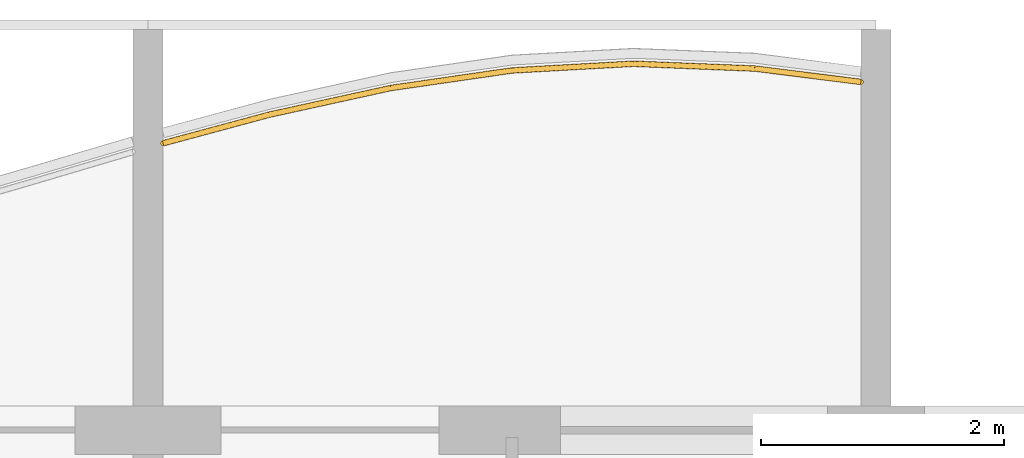
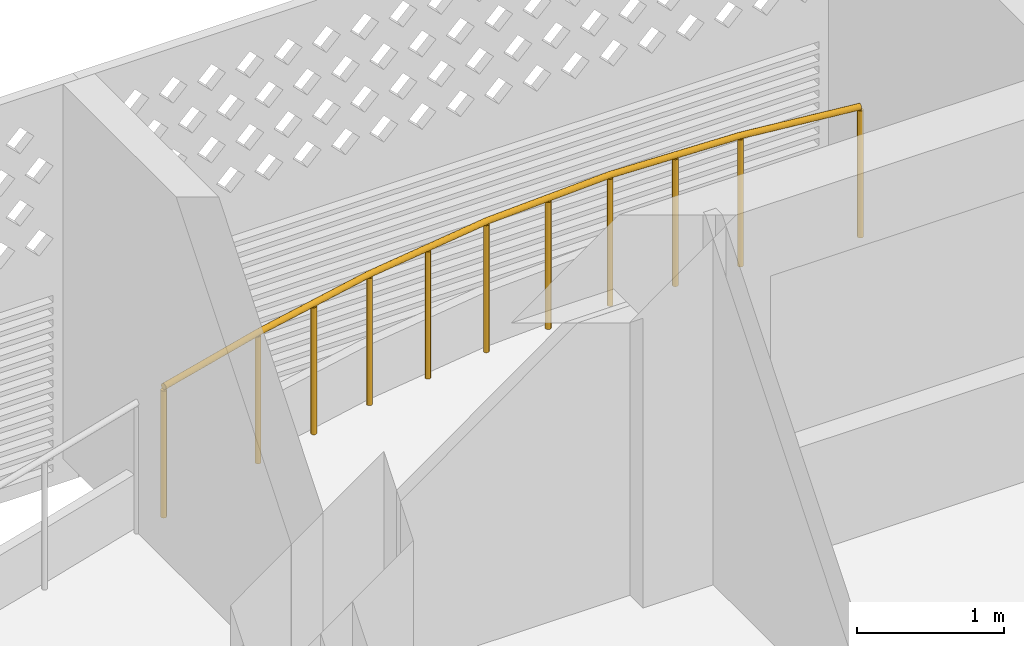
# One storey, part 20 of 27: 1 railing.
"""IFC4 building model written with IfcOpenShell, lengths in metres."""

from ifc_helpers import new_model, si_unit, direction, frame, origin, origin_2d, place, context, subcontext, project, spatial, circle, extrude, material, type_object, element, save


model = new_model("IFC4")

# Units and contexts
model_context = context("Model", 3, precision=1e-05, world=origin(), true_north=direction((0.0, 1.0)))
body_context = subcontext(model_context, "Body", "Model", "MODEL_VIEW")
ifc_project = project(units=[si_unit("LENGTHUNIT", "METRE"), si_unit("AREAUNIT", "SQUARE_METRE"), si_unit("VOLUMEUNIT", "CUBIC_METRE"), si_unit("PLANEANGLEUNIT", "RADIAN"), si_unit("MASSUNIT", "GRAM", prefix="KILO")], contexts=[model_context])

# Site, building, storey
site_placement = place(None, origin())
site = spatial("IfcSite", under=ifc_project, at=site_placement, CompositionType="ELEMENT")
building_placement = place(site_placement, origin())
building = spatial("IfcBuilding", under=site, at=building_placement, Name="Poui Terraces", CompositionType="ELEMENT")
storey_placement = place(building_placement, frame((0.0, 0.0, 208.199951171875)))
storey = spatial("IfcBuildingStorey", under=building, at=storey_placement, Name="L58", CompositionType="ELEMENT", Elevation=208.199951171875)

# Railing
ifc_material = material(Name="Painted steel fretwork", Category="steel")
railing_type = type_object("IfcRailingType", Name="BALCONY GUARD 1100", PredefinedType="GUARDRAIL", material=ifc_material)
railing_placement = place(storey_placement, frame((36.125, 43.564208984375, 0.0)))
element("IfcRailing", 1, at=railing_placement, inside=storey, type_object=railing_type, Name="BALCONY GUARD", PredefinedType="GUARDRAIL", context=body_context, shape_type="SweptSolid", body=[
    extrude(circle(Radius=0.02392578125, at=origin_2d()), frame((0.0, 0.0, 1.076171875), z_axis=(0.965610555684, 0.259992797499, 0.0), x_axis=(-0.259992797499, 0.965610555684, 0.0)), (0.0, 0.0, 1.0), 0.90625),
    extrude(circle(Radius=0.02392578125, at=origin_2d()), frame((0.875, 0.235595703125, 1.076171875), z_axis=(0.97675043296, 0.214379550593, 0.0), x_axis=(-0.214379550593, 0.97675043296, 0.0)), (0.0, 0.0, 1.0), 1.023681640625),
    extrude(circle(Radius=0.02392578125, at=origin_2d()), frame((1.875, 0.455078125, 1.076171875), z_axis=(0.989647671833, 0.143518241472, 0.0), x_axis=(-0.143518241472, 0.989647671833, 0.0)), (0.0, 0.0, 1.0), 1.010498046875),
    extrude(circle(Radius=0.02392578125, at=origin_2d()), frame((2.875, 0.60009765625, 1.076171875), z_axis=(0.998467844587, 0.055335009942, 0.0), x_axis=(-0.055335009942, 0.998467844587, 0.0)), (0.0, 0.0, 1.0), 1.00146484375),
    extrude(circle(Radius=0.02392578125, at=origin_2d()), frame((3.875, 0.655517578125, 1.076171875), z_axis=(0.99920912132, -0.03976344892, 0.0), x_axis=(0.03976344892, 0.99920912132, 0.0)), (0.0, 0.0, 1.0), 1.000732421875),
    extrude(circle(Radius=0.02392578125, at=origin_2d()), frame((4.875, 0.61572265625, 1.076171875), z_axis=(0.99220958069, -0.124579885968, 0.0), x_axis=(0.124579885968, 0.99220958069, 0.0)), (0.0, 0.0, 1.0), 0.8818359375),
    extrude(circle(Radius=0.02099609375, at=origin_2d()), origin(), (0.0, 0.0, 1.0), 1.052001953125),
    extrude(circle(Radius=0.02099609375, at=origin_2d()), frame((0.875, 0.235595703125, 0.0)), (0.0, 0.0, 1.0), 1.052001953125),
    extrude(circle(Radius=0.02099609375, at=origin_2d()), frame((1.375, 0.34521484375, 0.0)), (0.0, 0.0, 1.0), 1.052001953125),
    extrude(circle(Radius=0.02099609375, at=origin_2d()), frame((1.875, 0.455078125, 0.0)), (0.0, 0.0, 1.0), 1.052001953125),
    extrude(circle(Radius=0.02099609375, at=origin_2d()), frame((2.375, 0.527587890625, 0.0)), (0.0, 0.0, 1.0), 1.052001953125),
    extrude(circle(Radius=0.02099609375, at=origin_2d()), frame((2.875, 0.60009765625, 0.0)), (0.0, 0.0, 1.0), 1.052001953125),
    extrude(circle(Radius=0.02099609375, at=origin_2d()), frame((3.375, 0.6279296875, 0.0)), (0.0, 0.0, 1.0), 1.052001953125),
    extrude(circle(Radius=0.02099609375, at=origin_2d()), frame((3.875, 0.655517578125, 0.0)), (0.0, 0.0, 1.0), 1.052001953125),
    extrude(circle(Radius=0.02099609375, at=origin_2d()), frame((4.375, 0.6357421875, 0.0)), (0.0, 0.0, 1.0), 1.052001953125),
    extrude(circle(Radius=0.02099609375, at=origin_2d()), frame((4.875, 0.61572265625, 0.0)), (0.0, 0.0, 1.0), 1.052001953125),
    extrude(circle(Radius=0.02099609375, at=origin_2d()), frame((5.75, 0.505859375, 0.0)), (0.0, 0.0, 1.0), 1.052001953125),
])

save(model, "model.ifc")
